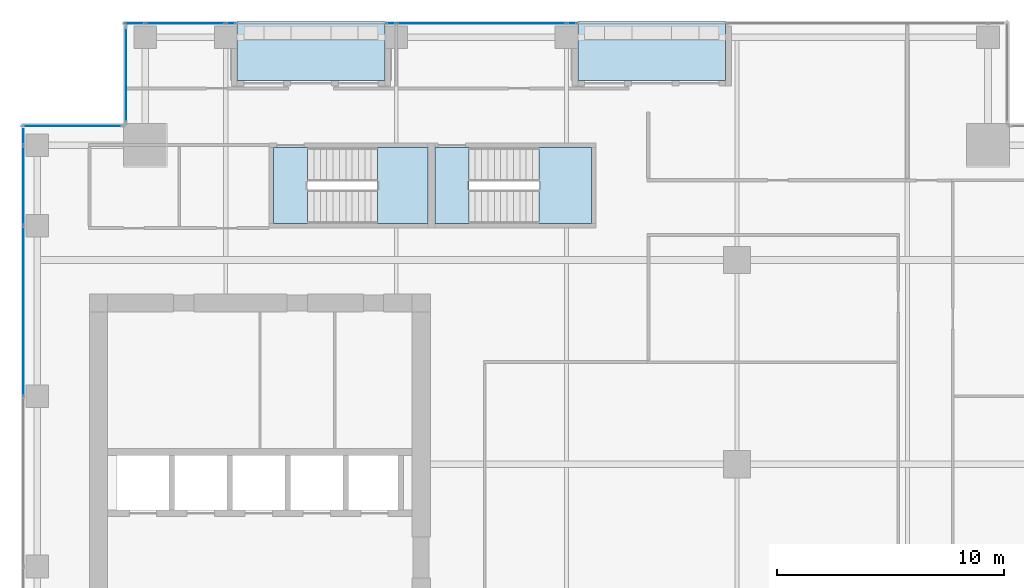
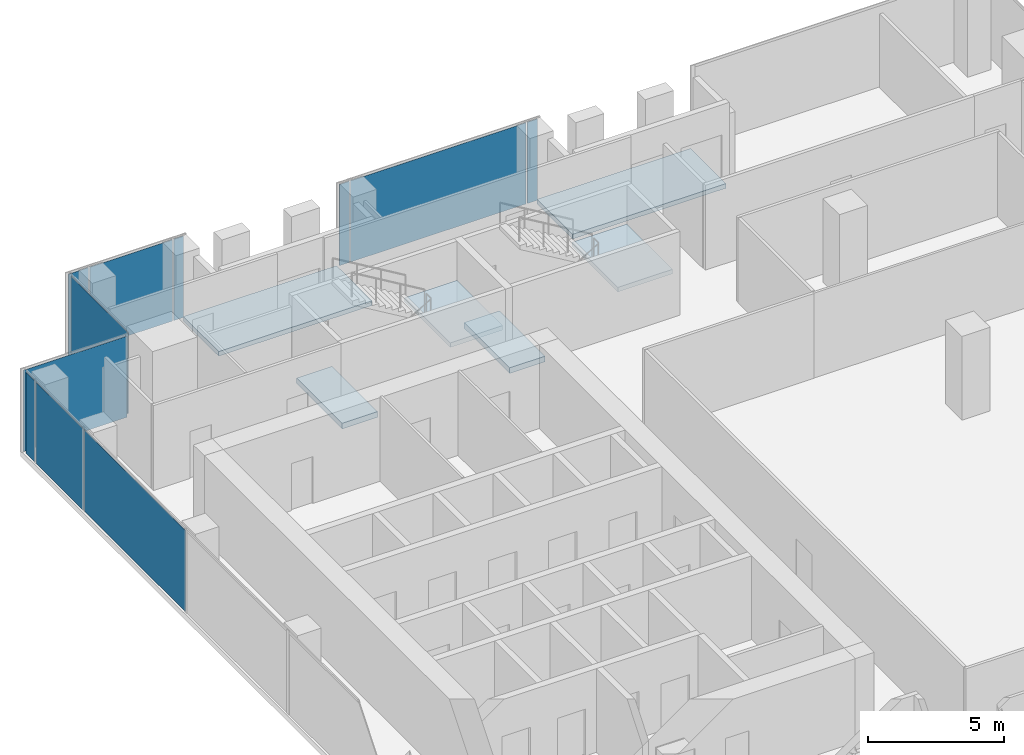
# One storey, part 30 of 38: 11 plates, 6 slabs, 7 elements without a shape of their own.
"""IFC4 building model written with IfcOpenShell, lengths in metres."""

from ifc_helpers import new_model, si_unit, direction, frame, origin, origin_2d, place, context, subcontext, project, spatial, polyline, rectangle, outline, extrude, source, transform, mapped, material, layer, layer_set, type_object, element, aggregate, save


model = new_model("IFC4")

# Units and contexts
model_context = context("Model", 3, precision=1e-05, world=origin(), true_north=direction((0.0, 1.0)))
body_context = subcontext(model_context, "Body", "Model", "MODEL_VIEW")
ifc_project = project(units=[si_unit("LENGTHUNIT", "METRE"), si_unit("AREAUNIT", "SQUARE_METRE"), si_unit("VOLUMEUNIT", "CUBIC_METRE"), si_unit("PLANEANGLEUNIT", "RADIAN"), si_unit("MASSUNIT", "GRAM", prefix="KILO")], contexts=[model_context])

# Site, building, storey
site_placement = place(None, origin())
site = spatial("IfcSite", under=ifc_project, at=site_placement, CompositionType="ELEMENT")
building_placement = place(site_placement, origin())
building = spatial("IfcBuilding", under=site, at=building_placement, Name="Khomas Fold Tower", CompositionType="ELEMENT")
storey_placement = place(building_placement, frame((0.0, 0.0, 208.699951171875)))
storey = spatial("IfcBuildingStorey", under=building, at=storey_placement, Name="L46", CompositionType="ELEMENT", Elevation=208.699951171875)

# Curtain wall, plate
ifc_material_1 = material(Name="Aluminium framed double glazing", Category="aluminium")
curtain_wall_type = type_object("IfcCurtainWallType", Name="SK-Unitised clear-glass wall, office floors CW2", PredefinedType="NOTDEFINED", material=ifc_material_1)
curtain_wall_1_placement = place(storey_placement, origin())
curtain_wall_1 = element("IfcCurtainWall", 1, at=curtain_wall_1_placement, inside=storey, type_object=curtain_wall_type, Name="CW2 corner return L46 08", PredefinedType="NOTDEFINED")
ifc_material_2 = material(Name="Clear double glazed unit")
ifc_layer_1 = layer(ifc_material_2, 0.030029296875)
ifc_layer_set_1 = layer_set([ifc_layer_1], Name="Clear double glazed unit")
plate_type = type_object("IfcPlateType", Name="SK-Unitised clear-glass wall, office floors glass panel CW2-P", PredefinedType="CURTAIN_PANEL", material=ifc_layer_set_1)
shared_shape_1 = source(origin(), body_context, "Body", "SweptSolid", [
    extrude(rectangle(XDim=4.3798828125, YDim=0.030029296875, at=origin_2d()), origin(), (0.0, 0.0, 1.0), 3.639892578125),
])
plate_1_placement = place(storey_placement, frame((5.25, 46.39990234375, 0.0), z_axis=(0.0, 0.0, 1.0), x_axis=(-1.0, 0.0, 0.0)))
plate_1 = element("IfcPlate", 2, at=plate_1_placement, type_object=plate_type, Name="CW2 glass panel 1", PredefinedType="CURTAIN_PANEL", context=body_context, shape_type="MappedRepresentation", body=[
    mapped(shared_shape_1, transform((0.0, 0.0, 0.0))),
])
aggregate(curtain_wall_1, [plate_1])

curtain_wall_2_placement = place(storey_placement, origin())
curtain_wall_2 = element("IfcCurtainWall", 3, at=curtain_wall_2_placement, inside=storey, type_object=curtain_wall_type, Name="CW2 run L46 09-0", PredefinedType="NOTDEFINED")
shared_shape_2 = source(origin(), body_context, "Body", "SweptSolid", [
    extrude(rectangle(XDim=0.659912109375, YDim=0.030029296875, at=origin_2d()), origin(), (0.0, 0.0, 1.0), 3.639892578125),
])
plate_2_placement = place(storey_placement, frame((3.10009765625, 45.909912109375, 0.0), z_axis=(0.0, 0.0, 1.0), x_axis=(0.0, -1.0, 0.0)))
plate_2 = element("IfcPlate", 4, at=plate_2_placement, type_object=plate_type, Name="CW2 glass panel 1", PredefinedType="CURTAIN_PANEL", context=body_context, shape_type="MappedRepresentation", body=[
    mapped(shared_shape_2, transform((0.0, 0.0, 0.0))),
])

curtain_wall_3_placement = place(storey_placement, origin())
curtain_wall_3 = element("IfcCurtainWall", 5, at=curtain_wall_3_placement, inside=storey, type_object=curtain_wall_type, Name="CW2 run L46 06-2", PredefinedType="NOTDEFINED")
shared_shape_3 = source(origin(), body_context, "Body", "SweptSolid", [
    extrude(rectangle(XDim=3.489990234375, YDim=0.030029296875, at=origin_2d()), origin(), (0.0, 0.0, 1.0), 3.639892578125),
])
plate_3_placement = place(storey_placement, frame((10.22509765625, 50.89990234375, 0.0), z_axis=(0.0, 0.0, 1.0), x_axis=(-1.0, 0.0, 0.0)))
plate_3 = element("IfcPlate", 6, at=plate_3_placement, type_object=plate_type, Name="CW2 glass panel 2", PredefinedType="CURTAIN_PANEL", context=body_context, shape_type="MappedRepresentation", body=[
    mapped(shared_shape_3, transform((0.0, 0.0, 0.0))),
])

# Plate
plate_4_placement = place(storey_placement, frame((3.10009765625, 43.77490234375, 0.0), z_axis=(0.0, 0.0, 1.0), x_axis=(0.0, -1.0, 0.0)))
plate_4 = element("IfcPlate", 7, at=plate_4_placement, type_object=plate_type, Name="CW2 glass panel 2", PredefinedType="CURTAIN_PANEL", context=body_context, shape_type="MappedRepresentation", body=[
    mapped(shared_shape_3, transform((0.0, 0.0, 0.0))),
])

# Curtain wall, plate
curtain_wall_4_placement = place(storey_placement, origin())
curtain_wall_4 = element("IfcCurtainWall", 8, at=curtain_wall_4_placement, inside=storey, type_object=curtain_wall_type, Name="CW2 run L46 06-1", PredefinedType="NOTDEFINED")
shared_shape_4 = source(origin(), body_context, "Body", "SweptSolid", [
    extrude(rectangle(XDim=7.43994140625, YDim=0.030029296875, at=origin_2d()), origin(), (0.0, 0.0, 1.0), 3.639892578125),
])
plate_5_placement = place(storey_placement, frame((23.25, 50.89990234375, 0.0), z_axis=(0.0, 0.0, 1.0), x_axis=(-1.0, 0.0, 0.0)))
plate_5 = element("IfcPlate", 9, at=plate_5_placement, type_object=plate_type, Name="CW2 glass panel 2", PredefinedType="CURTAIN_PANEL", context=body_context, shape_type="MappedRepresentation", body=[
    mapped(shared_shape_4, transform((0.0, 0.0, 0.0))),
])

# Plate
plate_6_placement = place(storey_placement, frame((3.10009765625, 38.25, 0.0), z_axis=(0.0, 0.0, 1.0), x_axis=(0.0, -1.0, 0.0)))
plate_6 = element("IfcPlate", 10, at=plate_6_placement, type_object=plate_type, Name="CW2 glass panel 3", PredefinedType="CURTAIN_PANEL", context=body_context, shape_type="MappedRepresentation", body=[
    mapped(shared_shape_4, transform((0.0, 0.0, 0.0))),
])

aggregate(curtain_wall_2, [plate_2, plate_4, plate_6])

# Curtain wall, plate
curtain_wall_5_placement = place(storey_placement, origin())
curtain_wall_5 = element("IfcCurtainWall", 11, at=curtain_wall_5_placement, inside=storey, type_object=curtain_wall_type, Name="CW2 corner return L46 07", PredefinedType="NOTDEFINED")
shared_shape_5 = source(origin(), body_context, "Body", "SweptSolid", [
    extrude(rectangle(XDim=4.179931640625, YDim=0.030029296875, at=origin_2d()), origin(), (0.0, 0.0, 1.0), 3.639892578125),
])
plate_7_placement = place(storey_placement, frame((7.60009765625, 48.64990234375, 0.0), z_axis=(0.0, 0.0, 1.0), x_axis=(0.0, -1.0, 0.0)))
plate_7 = element("IfcPlate", 12, at=plate_7_placement, type_object=plate_type, Name="CW2 glass panel 1", PredefinedType="CURTAIN_PANEL", context=body_context, shape_type="MappedRepresentation", body=[
    mapped(shared_shape_5, transform((0.0, 0.0, 0.0))),
])
aggregate(curtain_wall_5, [plate_7])

# Plate
shared_shape_6 = source(origin(), body_context, "Body", "SweptSolid", [
    extrude(rectangle(XDim=0.409912109375, YDim=0.030029296875, at=origin_2d()), origin(), (0.0, 0.0, 1.0), 3.639892578125),
])
plate_8_placement = place(storey_placement, frame((27.235107421875, 50.89990234375, 0.0), z_axis=(0.0, 0.0, 1.0), x_axis=(-1.0, 0.0, 0.0)))
plate_8 = element("IfcPlate", 13, at=plate_8_placement, type_object=plate_type, Name="CW2 glass panel 1", PredefinedType="CURTAIN_PANEL", context=body_context, shape_type="MappedRepresentation", body=[
    mapped(shared_shape_6, transform((0.0, 0.0, 0.0))),
])

plate_9_placement = place(storey_placement, frame((19.264892578125, 50.89990234375, 0.0), z_axis=(0.0, 0.0, 1.0), x_axis=(-1.0, 0.0, 0.0)))
plate_9 = element("IfcPlate", 14, at=plate_9_placement, type_object=plate_type, Name="CW2 glass panel 3", PredefinedType="CURTAIN_PANEL", context=body_context, shape_type="MappedRepresentation", body=[
    mapped(shared_shape_6, transform((0.0, 0.0, 0.0))),
])

aggregate(curtain_wall_4, [plate_8, plate_5, plate_9])

plate_10_placement = place(storey_placement, frame((12.235107421875, 50.89990234375, 0.0), z_axis=(0.0, 0.0, 1.0), x_axis=(-1.0, 0.0, 0.0)))
plate_10 = element("IfcPlate", 15, at=plate_10_placement, type_object=plate_type, Name="CW2 glass panel 1", PredefinedType="CURTAIN_PANEL", context=body_context, shape_type="MappedRepresentation", body=[
    mapped(shared_shape_6, transform((0.0, 0.0, 0.0))),
])

shared_shape_7 = source(origin(), body_context, "Body", "SweptSolid", [
    extrude(rectangle(XDim=0.860107421875, YDim=0.030029296875, at=origin_2d()), origin(), (0.0, 0.0, 1.0), 3.639892578125),
])
plate_11_placement = place(storey_placement, frame((7.989990234375, 50.89990234375, 0.0), z_axis=(0.0, 0.0, 1.0), x_axis=(-1.0, 0.0, 0.0)))
plate_11 = element("IfcPlate", 16, at=plate_11_placement, type_object=plate_type, Name="CW2 glass panel 3", PredefinedType="CURTAIN_PANEL", context=body_context, shape_type="MappedRepresentation", body=[
    mapped(shared_shape_7, transform((0.0, 0.0, 0.0))),
])

aggregate(curtain_wall_3, [plate_10, plate_3, plate_11])

# Slabs
ifc_material_3 = material(Name="Concrete C40/50", Category="concrete")
ifc_layer_2 = layer(ifc_material_3, 0.205078125)
ifc_layer_set_2 = layer_set([ifc_layer_2], Name="Concrete C40/50")
slab_type_1 = type_object("IfcSlabType", Name="BL-Balcony deck 205", PredefinedType="FLOOR", material=ifc_layer_set_2)
shared_shape_8 = source(origin(), body_context, "Body", "SweptSolid", [
    extrude(outline(polyline([(12.5, 48.39990234375), (19.0, 48.39990234375), (19.0, 51.0), (12.5, 51.0), (12.5, 48.39990234375)])), origin(), (0.0, 0.0, 1.0), 0.205078125),
])
slab_1_placement = place(storey_placement, frame((0.0, 0.0, -0.25)))
element("IfcSlab", 17, at=slab_1_placement, inside=storey, type_object=slab_type_1, Name="Balcony deck BAL-L46-N1", PredefinedType="FLOOR", context=body_context, shape_type="MappedRepresentation", body=[
    mapped(shared_shape_8, transform((0.0, 0.0, 0.0))),
])
shared_shape_9 = source(origin(), body_context, "Body", "SweptSolid", [
    extrude(outline(polyline([(27.5, 48.39990234375), (34.0, 48.39990234375), (34.0, 51.0), (27.5, 51.0), (27.5, 48.39990234375)])), origin(), (0.0, 0.0, 1.0), 0.205078125),
])
slab_2_placement = place(storey_placement, frame((0.0, 0.0, -0.25)))
element("IfcSlab", 18, at=slab_2_placement, inside=storey, type_object=slab_type_1, Name="Balcony deck BAL-L46-N3", PredefinedType="FLOOR", context=body_context, shape_type="MappedRepresentation", body=[
    mapped(shared_shape_9, transform((0.0, 0.0, 0.0))),
])

# Stair, slab
ifc_material_4 = material(Name="Concrete C40/50", Category="concrete")
stair_type_1 = type_object("IfcStairType", Name="Stair ST1", PredefinedType="HALF_TURN_STAIR", material=ifc_material_4)
stair_1_placement = place(storey_placement, origin())
stair_1 = element("IfcStair", 19, at=stair_1_placement, inside=storey, type_object=stair_type_1, Name="L46 ST1", PredefinedType="HALF_TURN_STAIR")
ifc_material_5 = material(Name="Concrete C40/50", Category="concrete")
ifc_layer_3 = layer(ifc_material_5, 0.199951171875)
ifc_layer_set_3 = layer_set([ifc_layer_3], Name="Concrete C40/50")
slab_type_2 = type_object("IfcSlabType", Name="Stair landing 200", PredefinedType="LANDING", material=ifc_layer_set_3)
shared_shape_10 = source(origin(), body_context, "Body", "SweptSolid", [
    extrude(outline(polyline([(18.679931640625, 42.10009765625), (20.89990234375, 42.10009765625), (20.89990234375, 45.449951171875), (18.679931640625, 45.449951171875), (18.679931640625, 42.10009765625)])), origin(), (0.0, 0.0, 1.0), 0.199951171875),
])
slab_3_placement = place(storey_placement, frame((0.0, 0.0, 1.800048828125)))
slab_3 = element("IfcSlab", 20, at=slab_3_placement, type_object=slab_type_2, Name="ST1 landing 1", PredefinedType="LANDING", context=body_context, shape_type="MappedRepresentation", body=[
    mapped(shared_shape_10, transform((0.0, 0.0, 0.0))),
])
aggregate(stair_1, [slab_3])

# Slab
ifc_material_6 = material(Name="Concrete C40/50", Category="concrete")
ifc_layer_4 = layer(ifc_material_6, 0.25)
ifc_layer_set_4 = layer_set([ifc_layer_4], Name="Concrete C40/50")
slab_type_3 = type_object("IfcSlabType", Name="Stair floor landing 250", PredefinedType="LANDING", material=ifc_layer_set_4)
shared_shape_11 = source(origin(), body_context, "Body", "SweptSolid", [
    extrude(outline(polyline([(15.60009765625, 42.10009765625), (14.10009765625, 42.10009765625), (14.10009765625, 45.449951171875), (15.60009765625, 45.449951171875), (15.60009765625, 42.10009765625)])), origin(), (0.0, 0.0, 1.0), 0.25),
])
slab_4_placement = place(storey_placement, frame((0.0, 0.0, -0.25)))
element("IfcSlab", 21, at=slab_4_placement, inside=storey, type_object=slab_type_3, Name="ST1 floor landing", PredefinedType="LANDING", context=body_context, shape_type="MappedRepresentation", body=[
    mapped(shared_shape_11, transform((0.0, 0.0, 0.0))),
])

# Stair, slab
ifc_material_7 = material(Name="Concrete C40/50", Category="concrete")
stair_type_2 = type_object("IfcStairType", Name="Stair ST3", PredefinedType="HALF_TURN_STAIR", material=ifc_material_7)
stair_2_placement = place(storey_placement, origin())
stair_2 = element("IfcStair", 22, at=stair_2_placement, inside=storey, type_object=stair_type_2, Name="L46 ST3", PredefinedType="HALF_TURN_STAIR")
shared_shape_12 = source(origin(), body_context, "Body", "SweptSolid", [
    extrude(outline(polyline([(25.780029296875, 42.10009765625), (28.10009765625, 42.10009765625), (28.10009765625, 45.449951171875), (25.780029296875, 45.449951171875), (25.780029296875, 42.10009765625)])), origin(), (0.0, 0.0, 1.0), 0.199951171875),
])
slab_5_placement = place(storey_placement, frame((0.0, 0.0, 1.800048828125)))
slab_5 = element("IfcSlab", 23, at=slab_5_placement, type_object=slab_type_2, Name="ST3 landing 1", PredefinedType="LANDING", context=body_context, shape_type="MappedRepresentation", body=[
    mapped(shared_shape_12, transform((0.0, 0.0, 0.0))),
])
aggregate(stair_2, [slab_5])

# Slab
shared_shape_13 = source(origin(), body_context, "Body", "SweptSolid", [
    extrude(outline(polyline([(22.699951171875, 42.10009765625), (21.199951171875, 42.10009765625), (21.199951171875, 45.449951171875), (22.699951171875, 45.449951171875), (22.699951171875, 42.10009765625)])), origin(), (0.0, 0.0, 1.0), 0.25),
])
slab_6_placement = place(storey_placement, frame((0.0, 0.0, -0.25)))
element("IfcSlab", 24, at=slab_6_placement, inside=storey, type_object=slab_type_3, Name="ST3 floor landing", PredefinedType="LANDING", context=body_context, shape_type="MappedRepresentation", body=[
    mapped(shared_shape_13, transform((0.0, 0.0, 0.0))),
])

save(model, "model.ifc")
